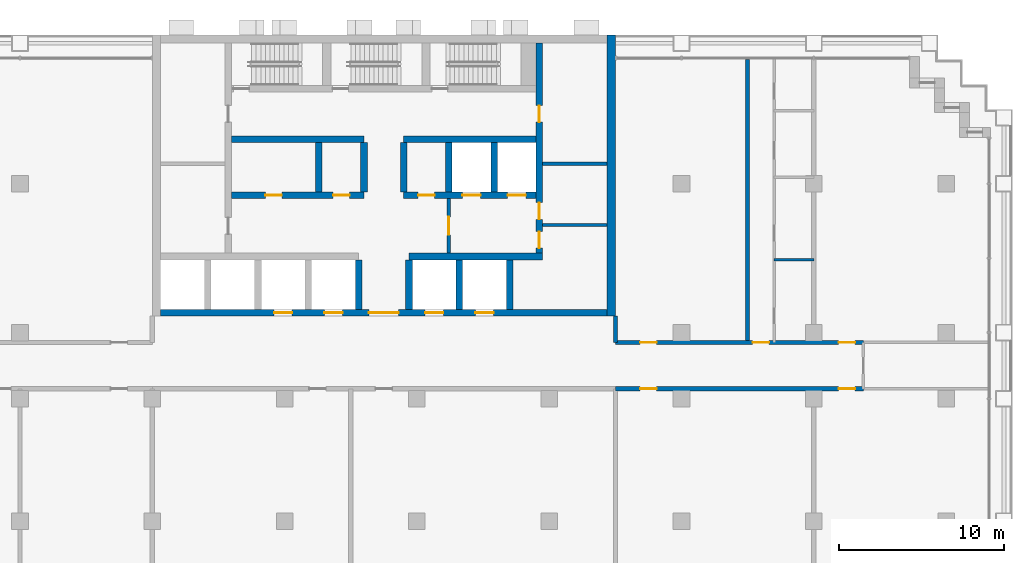
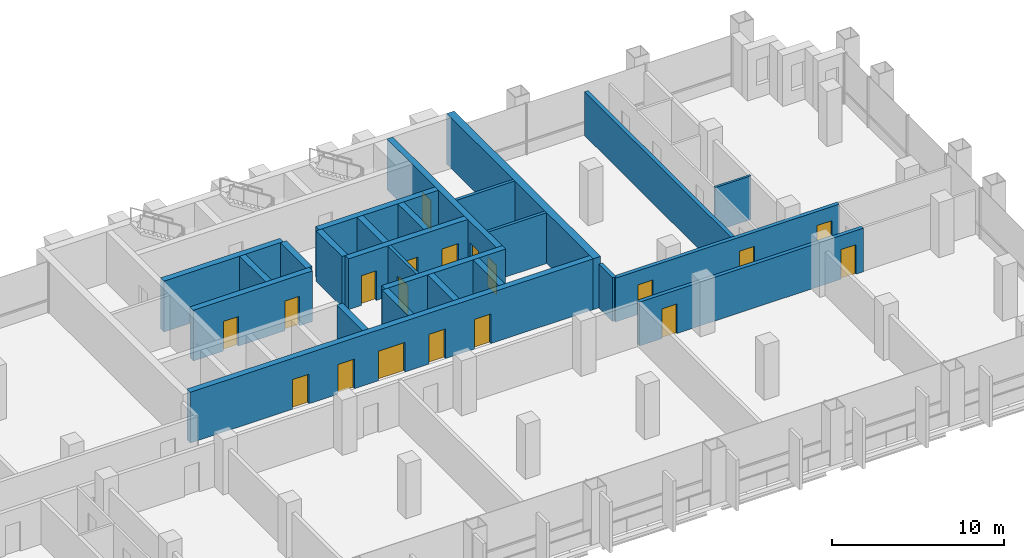
# One storey, part 8 of 13: 25 walls, 19 doors, 19 openings.
"""IFC4 building model written with IfcOpenShell, lengths in metres."""

from ifc_helpers import new_model, si_unit, direction, frame, frame_2d, origin, place, context, subcontext, project, spatial, rectangle, extrude, material, layer, layer_set, type_object, element, fill, save


model = new_model("IFC4")

# Units and contexts
model_context = context("Model", 3, precision=1e-05, world=origin(), true_north=direction((0.0, 1.0)))
body_context = subcontext(model_context, "Body", "Model", "MODEL_VIEW")
ifc_project = project(units=[si_unit("LENGTHUNIT", "METRE"), si_unit("AREAUNIT", "SQUARE_METRE"), si_unit("VOLUMEUNIT", "CUBIC_METRE"), si_unit("PLANEANGLEUNIT", "RADIAN"), si_unit("MASSUNIT", "GRAM", prefix="KILO")], contexts=[model_context])

# Site, building, storey
site_placement = place(None, origin())
site = spatial("IfcSite", under=ifc_project, at=site_placement, CompositionType="ELEMENT")
building_placement = place(site_placement, origin())
building = spatial("IfcBuilding", under=site, at=building_placement, Name="Vidyagriha Tower", CompositionType="ELEMENT")
storey_placement = place(building_placement, frame((0.0, 0.0, 33.800048828125)))
storey = spatial("IfcBuildingStorey", under=building, at=storey_placement, Name="L08", CompositionType="ELEMENT", Elevation=33.800048828125)

# Wall, openings, doors
ifc_material_1 = material(Name="Concrete C60/75", Category="concrete")
ifc_layer_1 = layer(ifc_material_1, 0.39990234375)
ifc_layer_set_1 = layer_set([ifc_layer_1], Name="Concrete C60/75")
wall_type_1 = type_object("IfcWallType", Name="Core shear wall 400 mm", PredefinedType="SHEAR", material=ifc_layer_set_1)
wall_1_placement = place(storey_placement, frame((9.39990234375, 6.800048828125, 0.0), z_axis=(0.0, 0.0, 1.0), x_axis=(0.0, 1.0, 0.0)))
wall_1 = element("IfcWall", 1, at=wall_1_placement, inside=storey, type_object=wall_type_1, Name="Core east spine wall", PredefinedType="SHEAR", context=body_context, shape_type="SweptSolid", body=[
    extrude(rectangle(XDim=12.699951171875, YDim=0.39990234375, at=frame_2d((6.35009765625, 0.0))), origin(), (0.0, 0.0, 1.0), 3.599853515625),
])
opening_1_placement = place(wall_1_placement, frame((0.300048828125, 0.0, 0.0)))
opening_1 = element("IfcOpeningElement", 2, at=opening_1_placement, cuts=wall_1, Name="Opening D08-11", PredefinedType="OPENING", context=body_context, shape_type="SweptSolid", body=[
    extrude(rectangle(XDim=1.0, YDim=2.10009765625, at=frame_2d((0.5, 1.050048828125))), frame((0.0, 0.2099609375, 0.0), z_axis=(0.0, -1.0, 0.0), x_axis=(1.0, 0.0, 0.0)), (0.0, 0.0, 1.0), 0.419921875),
])
opening_2_placement = place(wall_1_placement, frame((2.050048828125, 0.0, 0.0)))
opening_2 = element("IfcOpeningElement", 3, at=opening_2_placement, cuts=wall_1, Name="Opening D08-12", PredefinedType="OPENING", context=body_context, shape_type="SweptSolid", body=[
    extrude(rectangle(XDim=1.0, YDim=2.10009765625, at=frame_2d((0.5, 1.050048828125))), frame((0.0, 0.2099609375, 0.0), z_axis=(0.0, -1.0, 0.0), x_axis=(1.0, 0.0, 0.0)), (0.0, 0.0, 1.0), 0.419921875),
])
opening_3_placement = place(wall_1_placement, frame((7.925048828125, 0.0, 0.0)))
opening_3 = element("IfcOpeningElement", 4, at=opening_3_placement, cuts=wall_1, Name="Opening D08-13", PredefinedType="OPENING", context=body_context, shape_type="SweptSolid", body=[
    extrude(rectangle(XDim=1.0, YDim=2.10009765625, at=frame_2d((0.5, 1.050048828125))), frame((0.0, 0.2099609375, 0.0), z_axis=(0.0, -1.0, 0.0), x_axis=(1.0, 0.0, 0.0)), (0.0, 0.0, 1.0), 0.419921875),
])
ifc_material_2 = material(Name="Hollow metal door leaf")
door_type_1 = type_object("IfcDoorType", Name="Core room door 1000 x 2100 mm EI 60", OperationType="NOTDEFINED", PredefinedType="DOOR", material=ifc_material_2)
door_1_placement = place(opening_1_placement, origin())
door_1 = element("IfcDoor", 5, at=door_1_placement, inside=storey, type_object=door_type_1, Name="Door Refuse Room 08.E1", OperationType="SINGLE_SWING_RIGHT", OverallHeight=2.10009765625, OverallWidth=1.0, PredefinedType="DOOR", context=body_context, shape_type="SweptSolid", body=[
    extrude(rectangle(XDim=1.0, YDim=2.10009765625, at=frame_2d((0.5, 1.050048828125))), frame((0.0, 0.02490234375, 0.0), z_axis=(0.0, -1.0, 0.0), x_axis=(1.0, 0.0, 0.0)), (0.0, 0.0, 1.0), 0.050048828125),
])
fill(opening_1, door_1)
door_2_placement = place(opening_2_placement, origin())
door_2 = element("IfcDoor", 6, at=door_2_placement, inside=storey, type_object=door_type_1, Name="Door Mechanical Riser Room 08.E2", OperationType="SINGLE_SWING_LEFT", OverallHeight=2.10009765625, OverallWidth=1.0, PredefinedType="DOOR", context=body_context, shape_type="SweptSolid", body=[
    extrude(rectangle(XDim=1.0, YDim=2.10009765625, at=frame_2d((0.5, 1.050048828125))), frame((0.0, 0.02490234375, 0.0), z_axis=(0.0, -1.0, 0.0), x_axis=(1.0, 0.0, 0.0)), (0.0, 0.0, 1.0), 0.050048828125),
])
fill(opening_2, door_2)
door_3_placement = place(opening_3_placement, origin())
door_3 = element("IfcDoor", 7, at=door_3_placement, inside=storey, type_object=door_type_1, Name="Door Electrical Room 08.E3", OperationType="SINGLE_SWING_LEFT", OverallHeight=2.10009765625, OverallWidth=1.0, PredefinedType="DOOR", context=body_context, shape_type="SweptSolid", body=[
    extrude(rectangle(XDim=1.0, YDim=2.10009765625, at=frame_2d((0.5, 1.050048828125))), frame((0.0, 0.02490234375, 0.0), z_axis=(0.0, -1.0, 0.0), x_axis=(1.0, 0.0, 0.0)), (0.0, 0.0, 1.0), 0.050048828125),
])
fill(opening_3, door_3)

wall_2_placement = place(storey_placement, frame((-13.5, 3.199951171875, 0.0)))
wall_2 = element("IfcWall", 8, at=wall_2_placement, inside=storey, type_object=wall_type_1, Name="Core front wall", PredefinedType="SHEAR", context=body_context, shape_type="SweptSolid", body=[
    extrude(rectangle(XDim=27.0, YDim=0.39990234375, at=frame_2d((13.5, 0.0))), origin(), (0.0, 0.0, 1.0), 3.599853515625),
])
opening_4_placement = place(wall_2_placement, frame((6.861083984375, 0.0, 0.0)))
opening_4 = element("IfcOpeningElement", 9, at=opening_4_placement, cuts=wall_2, Name="Opening LD08-01", PredefinedType="OPENING", context=body_context, shape_type="SweptSolid", body=[
    extrude(rectangle(XDim=1.10009765625, YDim=2.10009765625, at=frame_2d((0.550048828125, 1.050048828125))), frame((0.0, 0.2099609375, 0.0), z_axis=(0.0, -1.0, 0.0), x_axis=(1.0, 0.0, 0.0)), (0.0, 0.0, 1.0), 0.419921875),
])
opening_5_placement = place(wall_2_placement, frame((9.905517578125, 0.0, 0.0)))
opening_5 = element("IfcOpeningElement", 10, at=opening_5_placement, cuts=wall_2, Name="Opening LD08-02", PredefinedType="OPENING", context=body_context, shape_type="SweptSolid", body=[
    extrude(rectangle(XDim=1.10009765625, YDim=2.10009765625, at=frame_2d((0.550048828125, 1.050048828125))), frame((0.0, 0.2099609375, 0.0), z_axis=(0.0, -1.0, 0.0), x_axis=(1.0, 0.0, 0.0)), (0.0, 0.0, 1.0), 0.419921875),
])
opening_6_placement = place(wall_2_placement, frame((15.994384765625, 0.0, 0.0)))
opening_6 = element("IfcOpeningElement", 11, at=opening_6_placement, cuts=wall_2, Name="Opening LD08-03", PredefinedType="OPENING", context=body_context, shape_type="SweptSolid", body=[
    extrude(rectangle(XDim=1.10009765625, YDim=2.10009765625, at=frame_2d((0.550048828125, 1.050048828125))), frame((0.0, 0.2099609375, 0.0), z_axis=(0.0, -1.0, 0.0), x_axis=(1.0, 0.0, 0.0)), (0.0, 0.0, 1.0), 0.419921875),
])
opening_7_placement = place(wall_2_placement, frame((19.038818359375, 0.0, 0.0)))
opening_7 = element("IfcOpeningElement", 12, at=opening_7_placement, cuts=wall_2, Name="Opening LD08-04", PredefinedType="OPENING", context=body_context, shape_type="SweptSolid", body=[
    extrude(rectangle(XDim=1.10009765625, YDim=2.10009765625, at=frame_2d((0.550048828125, 1.050048828125))), frame((0.0, 0.2099609375, 0.0), z_axis=(0.0, -1.0, 0.0), x_axis=(1.0, 0.0, 0.0)), (0.0, 0.0, 1.0), 0.419921875),
])
opening_8_placement = place(wall_2_placement, frame((12.60009765625, 0.0, 0.0)))
opening_8 = element("IfcOpeningElement", 13, at=opening_8_placement, cuts=wall_2, Name="Opening D08-01", PredefinedType="OPENING", context=body_context, shape_type="SweptSolid", body=[
    extrude(rectangle(XDim=1.800048828125, YDim=2.10009765625, at=frame_2d((0.89990234375, 1.050048828125))), frame((0.0, 0.2099609375, 0.0), z_axis=(0.0, -1.0, 0.0), x_axis=(1.0, 0.0, 0.0)), (0.0, 0.0, 1.0), 0.419921875),
])
ifc_material_3 = material(Name="Hollow metal door leaf")
door_type_2 = type_object("IfcDoorType", Name="Core lobby double door 1800 x 2100 mm EI 60", OperationType="NOTDEFINED", PredefinedType="DOOR", material=ifc_material_3)
door_4_placement = place(opening_8_placement, frame((1.800048828125, 0.0, 0.0), z_axis=(0.0, 0.0, 1.0), x_axis=(-1.0, 0.0, 0.0)))
door_4 = element("IfcDoor", 14, at=door_4_placement, inside=storey, type_object=door_type_2, Name="Core entrance door L08", OperationType="DOUBLE_DOOR_SINGLE_SWING", OverallHeight=2.10009765625, OverallWidth=1.800048828125, PredefinedType="DOOR", context=body_context, shape_type="SweptSolid", body=[
    extrude(rectangle(XDim=1.800048828125, YDim=2.10009765625, at=frame_2d((0.89990234375, 1.050048828125))), frame((0.0, 0.02490234375, 0.0), z_axis=(0.0, -1.0, 0.0), x_axis=(1.0, 0.0, 0.0)), (0.0, 0.0, 1.0), 0.050048828125),
])
fill(opening_8, door_4)
ifc_material_4 = material(Name="Stainless steel sliding door panel", Category="steel")
door_type_3 = type_object("IfcDoorType", Name="Lift landing door 1100 x 2100 mm EI 90", OperationType="NOTDEFINED", PredefinedType="DOOR", material=ifc_material_4)
door_5_placement = place(opening_4_placement, origin())
door_5 = element("IfcDoor", 15, at=door_5_placement, inside=storey, type_object=door_type_3, Name="Landing door LR1 L08", OperationType="SLIDING_TO_LEFT", OverallHeight=2.10009765625, OverallWidth=1.10009765625, PredefinedType="DOOR", context=body_context, shape_type="SweptSolid", body=[
    extrude(rectangle(XDim=1.10009765625, YDim=2.10009765625, at=frame_2d((0.550048828125, 1.050048828125))), frame((0.0, 0.02490234375, 0.0), z_axis=(0.0, -1.0, 0.0), x_axis=(1.0, 0.0, 0.0)), (0.0, 0.0, 1.0), 0.050048828125),
])
fill(opening_4, door_5)
door_6_placement = place(opening_5_placement, origin())
door_6 = element("IfcDoor", 16, at=door_6_placement, inside=storey, type_object=door_type_3, Name="Landing door LR2 L08", OperationType="SLIDING_TO_LEFT", OverallHeight=2.10009765625, OverallWidth=1.10009765625, PredefinedType="DOOR", context=body_context, shape_type="SweptSolid", body=[
    extrude(rectangle(XDim=1.10009765625, YDim=2.10009765625, at=frame_2d((0.550048828125, 1.050048828125))), frame((0.0, 0.02490234375, 0.0), z_axis=(0.0, -1.0, 0.0), x_axis=(1.0, 0.0, 0.0)), (0.0, 0.0, 1.0), 0.050048828125),
])
fill(opening_5, door_6)
door_7_placement = place(opening_6_placement, origin())
door_7 = element("IfcDoor", 17, at=door_7_placement, inside=storey, type_object=door_type_3, Name="Landing door LR3 L08", OperationType="SLIDING_TO_LEFT", OverallHeight=2.10009765625, OverallWidth=1.10009765625, PredefinedType="DOOR", context=body_context, shape_type="SweptSolid", body=[
    extrude(rectangle(XDim=1.10009765625, YDim=2.10009765625, at=frame_2d((0.550048828125, 1.050048828125))), frame((0.0, 0.02490234375, 0.0), z_axis=(0.0, -1.0, 0.0), x_axis=(1.0, 0.0, 0.0)), (0.0, 0.0, 1.0), 0.050048828125),
])
fill(opening_6, door_7)
door_8_placement = place(opening_7_placement, origin())
door_8 = element("IfcDoor", 18, at=door_8_placement, inside=storey, type_object=door_type_3, Name="Landing door LR4 L08", OperationType="SLIDING_TO_LEFT", OverallHeight=2.10009765625, OverallWidth=1.10009765625, PredefinedType="DOOR", context=body_context, shape_type="SweptSolid", body=[
    extrude(rectangle(XDim=1.10009765625, YDim=2.10009765625, at=frame_2d((0.550048828125, 1.050048828125))), frame((0.0, 0.02490234375, 0.0), z_axis=(0.0, -1.0, 0.0), x_axis=(1.0, 0.0, 0.0)), (0.0, 0.0, 1.0), 0.050048828125),
])
fill(opening_7, door_8)

# Walls
wall_3_placement = place(storey_placement, frame((1.522216796875, 6.60009765625, 0.0)))
element("IfcWall", 19, at=wall_3_placement, inside=storey, type_object=wall_type_1, Name="Core lobby south wall east", PredefinedType="SHEAR", context=body_context, shape_type="SweptSolid", body=[
    extrude(rectangle(XDim=8.077880859375, YDim=0.39990234375, at=frame_2d((4.0390625, 0.0))), origin(), (0.0, 0.0, 1.0), 3.599853515625),
])
for number, where, z_axis, x_axis, name in (
    (20, (-1.522216796875, 3.39990234375, 0.0), (0.0, 0.0, 1.0), (0.0, 1.0, 0.0), "Core bay wall S4"),
    (21, (1.522216796875, 3.39990234375, 0.0), (0.0, 0.0, 1.0), (0.0, 1.0, 0.0), "Core bay wall S5"),
    (22, (4.566650390625, 3.39990234375, 0.0), (0.0, 0.0, 1.0), (0.0, 1.0, 0.0), "Core bay wall S6"),
    (23, (7.611083984375, 3.39990234375, 0.0), (0.0, 0.0, 1.0), (0.0, 1.0, 0.0), "Core bay wall S7"),
):
    element("IfcWall", number, at=place(storey_placement, frame(where, z_axis=z_axis, x_axis=x_axis)), inside=storey, type_object=wall_type_1, Name=name, PredefinedType="SHEAR", context=body_context, shape_type="SweptSolid", body=[
        extrude(rectangle(XDim=3.0, YDim=0.39990234375, at=frame_2d((1.5, 0.0))), origin(), (0.0, 0.0, 1.0), 3.599853515625),
    ])

# Wall, openings, doors
wall_4_placement = place(storey_placement, frame((-9.199951171875, 10.300048828125, 0.0)))
wall_4 = element("IfcWall", 24, at=wall_4_placement, inside=storey, type_object=wall_type_1, Name="Core row N front wall", PredefinedType="SHEAR", context=body_context, shape_type="SweptSolid", body=[
    extrude(rectangle(XDim=8.0, YDim=0.39990234375, at=frame_2d((4.0, 0.0))), origin(), (0.0, 0.0, 1.0), 3.599853515625),
])
opening_9_placement = place(wall_4_placement, frame((2.033203125, 0.0, 0.0)))
opening_9 = element("IfcOpeningElement", 25, at=opening_9_placement, cuts=wall_4, Name="Opening D08-02", PredefinedType="OPENING", context=body_context, shape_type="SweptSolid", body=[
    extrude(rectangle(XDim=1.0, YDim=2.10009765625, at=frame_2d((0.5, 1.050048828125))), frame((0.0, 0.2099609375, 0.0), z_axis=(0.0, -1.0, 0.0), x_axis=(1.0, 0.0, 0.0)), (0.0, 0.0, 1.0), 0.419921875),
])
opening_10_placement = place(wall_4_placement, frame((6.13330078125, 0.0, 0.0)))
opening_10 = element("IfcOpeningElement", 26, at=opening_10_placement, cuts=wall_4, Name="Opening D08-03", PredefinedType="OPENING", context=body_context, shape_type="SweptSolid", body=[
    extrude(rectangle(XDim=1.0, YDim=2.10009765625, at=frame_2d((0.5, 1.050048828125))), frame((0.0, 0.2099609375, 0.0), z_axis=(0.0, -1.0, 0.0), x_axis=(1.0, 0.0, 0.0)), (0.0, 0.0, 1.0), 0.419921875),
])
door_9_placement = place(opening_9_placement, frame((1.0, 0.0, 0.0), z_axis=(0.0, 0.0, 1.0), x_axis=(-1.0, 0.0, 0.0)))
door_9 = element("IfcDoor", 27, at=door_9_placement, inside=storey, type_object=door_type_1, Name="Door Switchgear Room 08.14", OperationType="SINGLE_SWING_RIGHT", OverallHeight=2.10009765625, OverallWidth=1.0, PredefinedType="DOOR", context=body_context, shape_type="SweptSolid", body=[
    extrude(rectangle(XDim=1.0, YDim=2.10009765625, at=frame_2d((0.5, 1.050048828125))), frame((0.0, 0.02490234375, 0.0), z_axis=(0.0, -1.0, 0.0), x_axis=(1.0, 0.0, 0.0)), (0.0, 0.0, 1.0), 0.050048828125),
])
fill(opening_9, door_9)
door_10_placement = place(opening_10_placement, frame((1.0, 0.0, 0.0), z_axis=(0.0, 0.0, 1.0), x_axis=(-1.0, 0.0, 0.0)))
door_10 = element("IfcDoor", 28, at=door_10_placement, inside=storey, type_object=door_type_1, Name="Door Electrical Room 08.15", OperationType="SINGLE_SWING_LEFT", OverallHeight=2.10009765625, OverallWidth=1.0, PredefinedType="DOOR", context=body_context, shape_type="SweptSolid", body=[
    extrude(rectangle(XDim=1.0, YDim=2.10009765625, at=frame_2d((0.5, 1.050048828125))), frame((0.0, 0.02490234375, 0.0), z_axis=(0.0, -1.0, 0.0), x_axis=(1.0, 0.0, 0.0)), (0.0, 0.0, 1.0), 0.050048828125),
])
fill(opening_10, door_10)

# Wall
wall_5_placement = place(storey_placement, frame((-9.199951171875, 13.699951171875, 0.0)))
element("IfcWall", 29, at=wall_5_placement, inside=storey, type_object=wall_type_1, Name="Core row N rear wall", PredefinedType="SHEAR", context=body_context, shape_type="SweptSolid", body=[
    extrude(rectangle(XDim=8.0, YDim=0.39990234375, at=frame_2d((4.0, 0.0))), origin(), (0.0, 0.0, 1.0), 3.599853515625),
])

# Wall, openings, doors
wall_6_placement = place(storey_placement, frame((1.199951171875, 10.300048828125, 0.0)))
wall_6 = element("IfcWall", 30, at=wall_6_placement, inside=storey, type_object=wall_type_1, Name="Core row N front wall", PredefinedType="SHEAR", context=body_context, shape_type="SweptSolid", body=[
    extrude(rectangle(XDim=8.0, YDim=0.39990234375, at=frame_2d((4.0, 0.0))), origin(), (0.0, 0.0, 1.0), 3.599853515625),
])
opening_11_placement = place(wall_6_placement, frame((3.550048828125, 0.0, 0.0)))
opening_11 = element("IfcOpeningElement", 31, at=opening_11_placement, cuts=wall_6, Name="Opening LD08-05", PredefinedType="OPENING", context=body_context, shape_type="SweptSolid", body=[
    extrude(rectangle(XDim=1.10009765625, YDim=2.10009765625, at=frame_2d((0.550048828125, 1.050048828125))), frame((0.0, 0.2099609375, 0.0), z_axis=(0.0, -1.0, 0.0), x_axis=(1.0, 0.0, 0.0)), (0.0, 0.0, 1.0), 0.419921875),
])
opening_12_placement = place(wall_6_placement, frame((6.283203125, 0.0, 0.0)))
opening_12 = element("IfcOpeningElement", 32, at=opening_12_placement, cuts=wall_6, Name="Opening LD08-06", PredefinedType="OPENING", context=body_context, shape_type="SweptSolid", body=[
    extrude(rectangle(XDim=1.10009765625, YDim=2.10009765625, at=frame_2d((0.550048828125, 1.050048828125))), frame((0.0, 0.2099609375, 0.0), z_axis=(0.0, -1.0, 0.0), x_axis=(1.0, 0.0, 0.0)), (0.0, 0.0, 1.0), 0.419921875),
])
opening_13_placement = place(wall_6_placement, frame((0.86669921875, 0.0, 0.0)))
opening_13 = element("IfcOpeningElement", 33, at=opening_13_placement, cuts=wall_6, Name="Opening D08-04", PredefinedType="OPENING", context=body_context, shape_type="SweptSolid", body=[
    extrude(rectangle(XDim=1.0, YDim=2.10009765625, at=frame_2d((0.5, 1.050048828125))), frame((0.0, 0.2099609375, 0.0), z_axis=(0.0, -1.0, 0.0), x_axis=(1.0, 0.0, 0.0)), (0.0, 0.0, 1.0), 0.419921875),
])
door_11_placement = place(opening_13_placement, frame((1.0, 0.0, 0.0), z_axis=(0.0, 0.0, 1.0), x_axis=(-1.0, 0.0, 0.0)))
door_11 = element("IfcDoor", 34, at=door_11_placement, inside=storey, type_object=door_type_1, Name="Door Cleaners Store 08.16", OperationType="SINGLE_SWING_LEFT", OverallHeight=2.10009765625, OverallWidth=1.0, PredefinedType="DOOR", context=body_context, shape_type="SweptSolid", body=[
    extrude(rectangle(XDim=1.0, YDim=2.10009765625, at=frame_2d((0.5, 1.050048828125))), frame((0.0, 0.02490234375, 0.0), z_axis=(0.0, -1.0, 0.0), x_axis=(1.0, 0.0, 0.0)), (0.0, 0.0, 1.0), 0.050048828125),
])
fill(opening_13, door_11)
door_12_placement = place(opening_11_placement, origin())
door_12 = element("IfcDoor", 35, at=door_12_placement, inside=storey, type_object=door_type_3, Name="Landing door FF1 L08", OperationType="SLIDING_TO_LEFT", OverallHeight=2.10009765625, OverallWidth=1.10009765625, PredefinedType="DOOR", context=body_context, shape_type="SweptSolid", body=[
    extrude(rectangle(XDim=1.10009765625, YDim=2.10009765625, at=frame_2d((0.550048828125, 1.050048828125))), frame((0.0, 0.02490234375, 0.0), z_axis=(0.0, -1.0, 0.0), x_axis=(1.0, 0.0, 0.0)), (0.0, 0.0, 1.0), 0.050048828125),
])
fill(opening_11, door_12)
door_13_placement = place(opening_12_placement, origin())
door_13 = element("IfcDoor", 36, at=door_13_placement, inside=storey, type_object=door_type_3, Name="Landing door FF2 L08", OperationType="SLIDING_TO_LEFT", OverallHeight=2.10009765625, OverallWidth=1.10009765625, PredefinedType="DOOR", context=body_context, shape_type="SweptSolid", body=[
    extrude(rectangle(XDim=1.10009765625, YDim=2.10009765625, at=frame_2d((0.550048828125, 1.050048828125))), frame((0.0, 0.02490234375, 0.0), z_axis=(0.0, -1.0, 0.0), x_axis=(1.0, 0.0, 0.0)), (0.0, 0.0, 1.0), 0.050048828125),
])
fill(opening_12, door_13)

# Walls
wall_7_placement = place(storey_placement, frame((1.199951171875, 13.699951171875, 0.0)))
element("IfcWall", 37, at=wall_7_placement, inside=storey, type_object=wall_type_1, Name="Core row N rear wall", PredefinedType="SHEAR", context=body_context, shape_type="SweptSolid", body=[
    extrude(rectangle(XDim=8.0, YDim=0.39990234375, at=frame_2d((4.0, 0.0))), origin(), (0.0, 0.0, 1.0), 3.599853515625),
])
for number, where, z_axis, x_axis, name in (
    (38, (-3.933349609375, 10.5, 0.0), (0.0, 0.0, 1.0), (0.0, 1.0, 0.0), "Core bay wall N2"),
    (39, (-1.199951171875, 10.5, 0.0), (0.0, 0.0, 1.0), (0.0, 1.0, 0.0), "Core bay wall N3"),
    (40, (1.199951171875, 10.5, 0.0), (0.0, 0.0, 1.0), (0.0, 1.0, 0.0), "Core bay wall N4"),
    (41, (3.933349609375, 10.5, 0.0), (0.0, 0.0, 1.0), (0.0, 1.0, 0.0), "Core bay wall N5"),
    (42, (6.666748046875, 10.5, 0.0), (0.0, 0.0, 1.0), (0.0, 1.0, 0.0), "Core bay wall N6"),
):
    element("IfcWall", number, at=place(storey_placement, frame(where, z_axis=z_axis, x_axis=x_axis)), inside=storey, type_object=wall_type_1, Name=name, PredefinedType="SHEAR", context=body_context, shape_type="SweptSolid", body=[
        extrude(rectangle(XDim=3.0, YDim=0.39990234375, at=frame_2d((1.5, 0.0))), origin(), (0.0, 0.0, 1.0), 3.599853515625),
    ])
ifc_material_5 = material(Name="Concrete C60/75", Category="concrete")
ifc_layer_2 = layer(ifc_material_5, 0.5)
ifc_layer_set_2 = layer_set([ifc_layer_2], Name="Concrete C60/75")
wall_type_2 = type_object("IfcWallType", Name="Core shear wall 500 mm", PredefinedType="SHEAR", material=ifc_layer_set_2)
wall_8_placement = place(storey_placement, frame((13.75, 3.0, 0.0), z_axis=(0.0, 0.0, 1.0), x_axis=(0.0, 1.0, 0.0)))
element("IfcWall", 43, at=wall_8_placement, inside=storey, type_object=wall_type_2, Name="Core east wall", PredefinedType="SHEAR", context=body_context, shape_type="SweptSolid", body=[
    extrude(rectangle(XDim=17.0, YDim=0.5, at=frame_2d((8.5, 0.0))), origin(), (0.0, 0.0, 1.0), 3.599853515625),
])

# Wall, openings, doors
ifc_material_6 = material(Name="Fired clay brick masonry", Category="masonry")
ifc_layer_3 = layer(ifc_material_6, 0.25)
ifc_layer_set_3 = layer_set([ifc_layer_3], Name="Fired clay brick masonry")
wall_type_3 = type_object("IfcWallType", Name="Fired clay brick corridor wall 250", PredefinedType="PARTITIONING", material=ifc_layer_set_3)
wall_9_placement = place(storey_placement, frame((29.0, -1.39990234375, 0.0), z_axis=(0.0, 0.0, 1.0), x_axis=(-1.0, 0.0, 0.0)))
wall_9 = element("IfcWall", 44, at=wall_9_placement, inside=storey, type_object=wall_type_3, Name="Wall all-L08-w024", PredefinedType="PARTITIONING", context=body_context, shape_type="SweptSolid", body=[
    extrude(rectangle(XDim=15.0, YDim=0.25, at=frame_2d((7.5, 0.0))), origin(), (0.0, 0.0, 1.0), 3.099853515625),
])
opening_14_placement = place(wall_9_placement, frame((12.5, 0.0, 0.0)))
opening_14 = element("IfcOpeningElement", 45, at=opening_14_placement, cuts=wall_9, Name="Opening D08-24", PredefinedType="OPENING", context=body_context, shape_type="SweptSolid", body=[
    extrude(rectangle(XDim=1.0, YDim=2.10009765625, at=frame_2d((0.5, 1.050048828125))), frame((0.0, 0.135009765625, 0.0), z_axis=(0.0, -1.0, 0.0), x_axis=(1.0, 0.0, 0.0)), (0.0, 0.0, 1.0), 0.27001953125),
])
opening_15_placement = place(wall_9_placement, frame((0.5, 0.0, 0.0)))
opening_15 = element("IfcOpeningElement", 46, at=opening_15_placement, cuts=wall_9, Name="Opening D08-25", PredefinedType="OPENING", context=body_context, shape_type="SweptSolid", body=[
    extrude(rectangle(XDim=1.0, YDim=2.10009765625, at=frame_2d((0.5, 1.050048828125))), frame((0.0, 0.135009765625, 0.0), z_axis=(0.0, -1.0, 0.0), x_axis=(1.0, 0.0, 0.0)), (0.0, 0.0, 1.0), 0.27001953125),
])
ifc_material_7 = material(Name="Fire-rated timber door leaf EI 60", Category="wood")
door_type_4 = type_object("IfcDoorType", Name="Flat entrance fire door 1000x2100", OperationType="NOTDEFINED", PredefinedType="DOOR", material=ifc_material_7)
door_14_placement = place(opening_14_placement, origin())
door_14 = element("IfcDoor", 47, at=door_14_placement, inside=storey, type_object=door_type_4, Name="Door D08-24", OperationType="SINGLE_SWING_RIGHT", OverallHeight=2.10009765625, OverallWidth=1.0, PredefinedType="DOOR", context=body_context, shape_type="SweptSolid", body=[
    extrude(rectangle(XDim=1.0, YDim=2.10009765625, at=frame_2d((0.5, 1.050048828125))), frame((0.0, 0.02490234375, 0.0), z_axis=(0.0, -1.0, 0.0), x_axis=(1.0, 0.0, 0.0)), (0.0, 0.0, 1.0), 0.050048828125),
])
fill(opening_14, door_14)
door_15_placement = place(opening_15_placement, origin())
door_15 = element("IfcDoor", 48, at=door_15_placement, inside=storey, type_object=door_type_4, Name="Door D08-25", OperationType="SINGLE_SWING_RIGHT", OverallHeight=2.10009765625, OverallWidth=1.0, PredefinedType="DOOR", context=body_context, shape_type="SweptSolid", body=[
    extrude(rectangle(XDim=1.0, YDim=2.10009765625, at=frame_2d((0.5, 1.050048828125))), frame((0.0, 0.02490234375, 0.0), z_axis=(0.0, -1.0, 0.0), x_axis=(1.0, 0.0, 0.0)), (0.0, 0.0, 1.0), 0.050048828125),
])
fill(opening_15, door_15)

wall_10_placement = place(storey_placement, frame((14.0, 1.39990234375, 0.0)))
wall_10 = element("IfcWall", 49, at=wall_10_placement, inside=storey, type_object=wall_type_3, Name="Wall all-L08-w032", PredefinedType="PARTITIONING", context=body_context, shape_type="SweptSolid", body=[
    extrude(rectangle(XDim=15.0, YDim=0.25, at=frame_2d((7.5, 0.0))), origin(), (0.0, 0.0, 1.0), 3.099853515625),
])
opening_16_placement = place(wall_10_placement, frame((1.5, 0.0, 0.0)))
opening_16 = element("IfcOpeningElement", 50, at=opening_16_placement, cuts=wall_10, Name="Opening D08-27", PredefinedType="OPENING", context=body_context, shape_type="SweptSolid", body=[
    extrude(rectangle(XDim=1.0, YDim=2.10009765625, at=frame_2d((0.5, 1.050048828125))), frame((0.0, 0.135009765625, 0.0), z_axis=(0.0, -1.0, 0.0), x_axis=(1.0, 0.0, 0.0)), (0.0, 0.0, 1.0), 0.27001953125),
])
opening_17_placement = place(wall_10_placement, frame((8.300048828125, 0.0, 0.0)))
opening_17 = element("IfcOpeningElement", 51, at=opening_17_placement, cuts=wall_10, Name="Opening D08-32", PredefinedType="OPENING", context=body_context, shape_type="SweptSolid", body=[
    extrude(rectangle(XDim=1.0, YDim=2.10009765625, at=frame_2d((0.5, 1.050048828125))), frame((0.0, 0.135009765625, 0.0), z_axis=(0.0, -1.0, 0.0), x_axis=(1.0, 0.0, 0.0)), (0.0, 0.0, 1.0), 0.27001953125),
])
opening_18_placement = place(wall_10_placement, frame((13.5, 0.0, 0.0)))
opening_18 = element("IfcOpeningElement", 52, at=opening_18_placement, cuts=wall_10, Name="Opening D08-33", PredefinedType="OPENING", context=body_context, shape_type="SweptSolid", body=[
    extrude(rectangle(XDim=1.0, YDim=2.10009765625, at=frame_2d((0.5, 1.050048828125))), frame((0.0, 0.135009765625, 0.0), z_axis=(0.0, -1.0, 0.0), x_axis=(1.0, 0.0, 0.0)), (0.0, 0.0, 1.0), 0.27001953125),
])
door_16_placement = place(opening_16_placement, origin())
door_16 = element("IfcDoor", 53, at=door_16_placement, inside=storey, type_object=door_type_4, Name="Door D08-27", OperationType="SINGLE_SWING_LEFT", OverallHeight=2.10009765625, OverallWidth=1.0, PredefinedType="DOOR", context=body_context, shape_type="SweptSolid", body=[
    extrude(rectangle(XDim=1.0, YDim=2.10009765625, at=frame_2d((0.5, 1.050048828125))), frame((0.0, 0.02490234375, 0.0), z_axis=(0.0, -1.0, 0.0), x_axis=(1.0, 0.0, 0.0)), (0.0, 0.0, 1.0), 0.050048828125),
])
fill(opening_16, door_16)
door_17_placement = place(opening_17_placement, origin())
door_17 = element("IfcDoor", 54, at=door_17_placement, inside=storey, type_object=door_type_4, Name="Door D08-32", OperationType="SINGLE_SWING_RIGHT", OverallHeight=2.10009765625, OverallWidth=1.0, PredefinedType="DOOR", context=body_context, shape_type="SweptSolid", body=[
    extrude(rectangle(XDim=1.0, YDim=2.10009765625, at=frame_2d((0.5, 1.050048828125))), frame((0.0, 0.02490234375, 0.0), z_axis=(0.0, -1.0, 0.0), x_axis=(1.0, 0.0, 0.0)), (0.0, 0.0, 1.0), 0.050048828125),
])
fill(opening_17, door_17)
door_18_placement = place(opening_18_placement, origin())
door_18 = element("IfcDoor", 55, at=door_18_placement, inside=storey, type_object=door_type_4, Name="Door D08-33", OperationType="SINGLE_SWING_LEFT", OverallHeight=2.10009765625, OverallWidth=1.0, PredefinedType="DOOR", context=body_context, shape_type="SweptSolid", body=[
    extrude(rectangle(XDim=1.0, YDim=2.10009765625, at=frame_2d((0.5, 1.050048828125))), frame((0.0, 0.02490234375, 0.0), z_axis=(0.0, -1.0, 0.0), x_axis=(1.0, 0.0, 0.0)), (0.0, 0.0, 1.0), 0.050048828125),
])
fill(opening_18, door_18)

# Walls
wall_11_placement = place(storey_placement, frame((14.0, 1.39990234375, 0.0), z_axis=(0.0, 0.0, 1.0), x_axis=(0.0, 1.0, 0.0)))
element("IfcWall", 56, at=wall_11_placement, inside=storey, type_object=wall_type_3, Name="Wall all-L08-w052", PredefinedType="PARTITIONING", context=body_context, shape_type="SweptSolid", body=[
    extrude(rectangle(XDim=1.60009765625, YDim=0.25, at=frame_2d((0.800048828125, 0.0))), origin(), (0.0, 0.0, 1.0), 3.099853515625),
])
ifc_material_8 = material(Name="Fired clay brick masonry", Category="masonry")
ifc_layer_4 = layer(ifc_material_8, 0.25)
ifc_layer_set_4 = layer_set([ifc_layer_4], Name="Fired clay brick masonry")
wall_type_4 = type_object("IfcWallType", Name="Fired clay brick demising wall 250", PredefinedType="PARTITIONING", material=ifc_layer_set_4)
wall_12_placement = place(storey_placement, frame((22.0, 18.52099609375, 0.0), z_axis=(0.0, 0.0, 1.0), x_axis=(0.0, -1.0, 0.0)))
element("IfcWall", 57, at=wall_12_placement, inside=storey, type_object=wall_type_4, Name="Wall all-L08-w045", PredefinedType="PARTITIONING", context=body_context, shape_type="SweptSolid", body=[
    extrude(rectangle(XDim=17.12109375, YDim=0.25, at=frame_2d((8.560546875, 0.0))), origin(), (0.0, 0.0, 1.0), 3.099853515625),
])
ifc_material_9 = material(Name="Gypsum board partition")
ifc_layer_5 = layer(ifc_material_9, 0.14990234375)
ifc_layer_set_5 = layer_set([ifc_layer_5], Name="Gypsum board partition")
wall_type_5 = type_object("IfcWallType", Name="Gypsum board partition 150", PredefinedType="PARTITIONING", material=ifc_layer_set_5)
wall_13_placement = place(storey_placement, frame((23.60009765625, 6.39990234375, 0.0)))
element("IfcWall", 58, at=wall_13_placement, inside=storey, type_object=wall_type_5, Name="Wall all-L08-w037", PredefinedType="PARTITIONING", context=body_context, shape_type="SweptSolid", body=[
    extrude(rectangle(XDim=2.39990234375, YDim=0.14990234375, at=frame_2d((1.199951171875, 0.0))), origin(), (0.0, 0.0, 1.0), 3.099853515625),
])

# Wall, opening, door
ifc_material_10 = material(Name="Blockwork 15 MPa", Category="masonry")
ifc_layer_6 = layer(ifc_material_10, 0.199951171875)
ifc_layer_set_6 = layer_set([ifc_layer_6], Name="Blockwork 15 MPa")
wall_type_6 = type_object("IfcWallType", Name="Service room partition 200 mm", PredefinedType="PARTITIONING", material=ifc_layer_set_6)
wall_14_placement = place(storey_placement, frame((3.933349609375, 6.800048828125, 0.0), z_axis=(0.0, 0.0, 1.0), x_axis=(0.0, 1.0, 0.0)))
wall_14 = element("IfcWall", 59, at=wall_14_placement, inside=storey, type_object=wall_type_6, Name="Fire-fighting lobby west wall", PredefinedType="PARTITIONING", context=body_context, shape_type="SweptSolid", body=[
    extrude(rectangle(XDim=3.300048828125, YDim=0.199951171875, at=frame_2d((1.64990234375, 0.0))), origin(), (0.0, 0.0, 1.0), 3.599853515625),
])
opening_19_placement = place(wall_14_placement, frame((1.10009765625, 0.0, 0.0)))
opening_19 = element("IfcOpeningElement", 60, at=opening_19_placement, cuts=wall_14, Name="Opening D08-05", PredefinedType="OPENING", context=body_context, shape_type="SweptSolid", body=[
    extrude(rectangle(XDim=1.10009765625, YDim=2.10009765625, at=frame_2d((0.550048828125, 1.050048828125))), frame((0.0, 0.10986328125, 0.0), z_axis=(0.0, -1.0, 0.0), x_axis=(1.0, 0.0, 0.0)), (0.0, 0.0, 1.0), 0.219970703125),
])
ifc_material_11 = material(Name="Hollow metal door leaf")
door_type_5 = type_object("IfcDoorType", Name="Fire-fighting lobby door 1100 x 2100 mm EI 90", OperationType="NOTDEFINED", PredefinedType="DOOR", material=ifc_material_11)
door_19_placement = place(opening_19_placement, origin())
door_19 = element("IfcDoor", 61, at=door_19_placement, inside=storey, type_object=door_type_5, Name="Fire-fighting lobby door L08", OperationType="SINGLE_SWING_RIGHT", OverallHeight=2.10009765625, OverallWidth=1.10009765625, PredefinedType="DOOR", context=body_context, shape_type="SweptSolid", body=[
    extrude(rectangle(XDim=1.10009765625, YDim=2.10009765625, at=frame_2d((0.550048828125, 1.050048828125))), frame((0.0, 0.02490234375, 0.0), z_axis=(0.0, -1.0, 0.0), x_axis=(1.0, 0.0, 0.0)), (0.0, 0.0, 1.0), 0.050048828125),
])
fill(opening_19, door_19)

# Walls
for number, where, name in (
    (62, (9.60009765625, 8.5, 0.0), "Core room partition E1"),
    (63, (9.60009765625, 12.199951171875, 0.0), "Core room partition E2"),
):
    element("IfcWall", number, at=place(storey_placement, frame(where)), inside=storey, type_object=wall_type_6, Name=name, PredefinedType="PARTITIONING", context=body_context, shape_type="SweptSolid", body=[
        extrude(rectangle(XDim=3.89990234375, YDim=0.199951171875, at=frame_2d((1.949951171875, 0.0))), origin(), (0.0, 0.0, 1.0), 3.599853515625),
    ])

save(model, "model.ifc")
